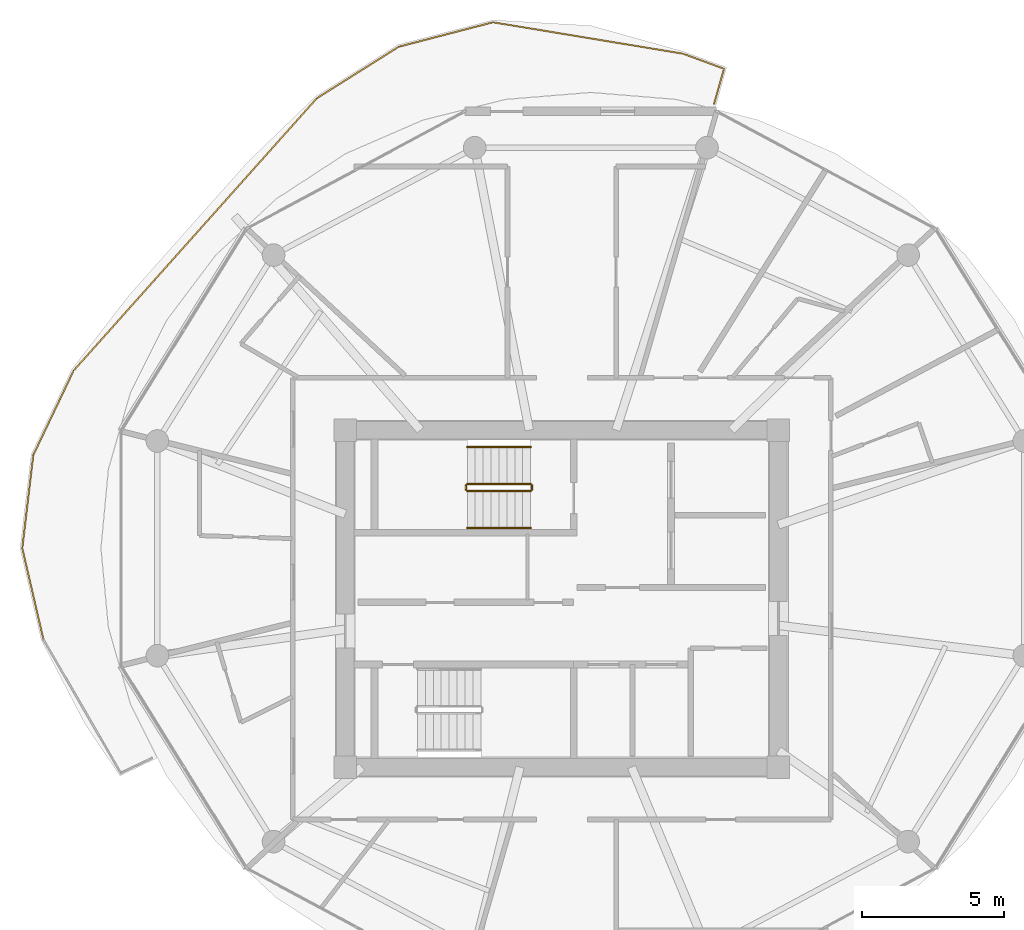
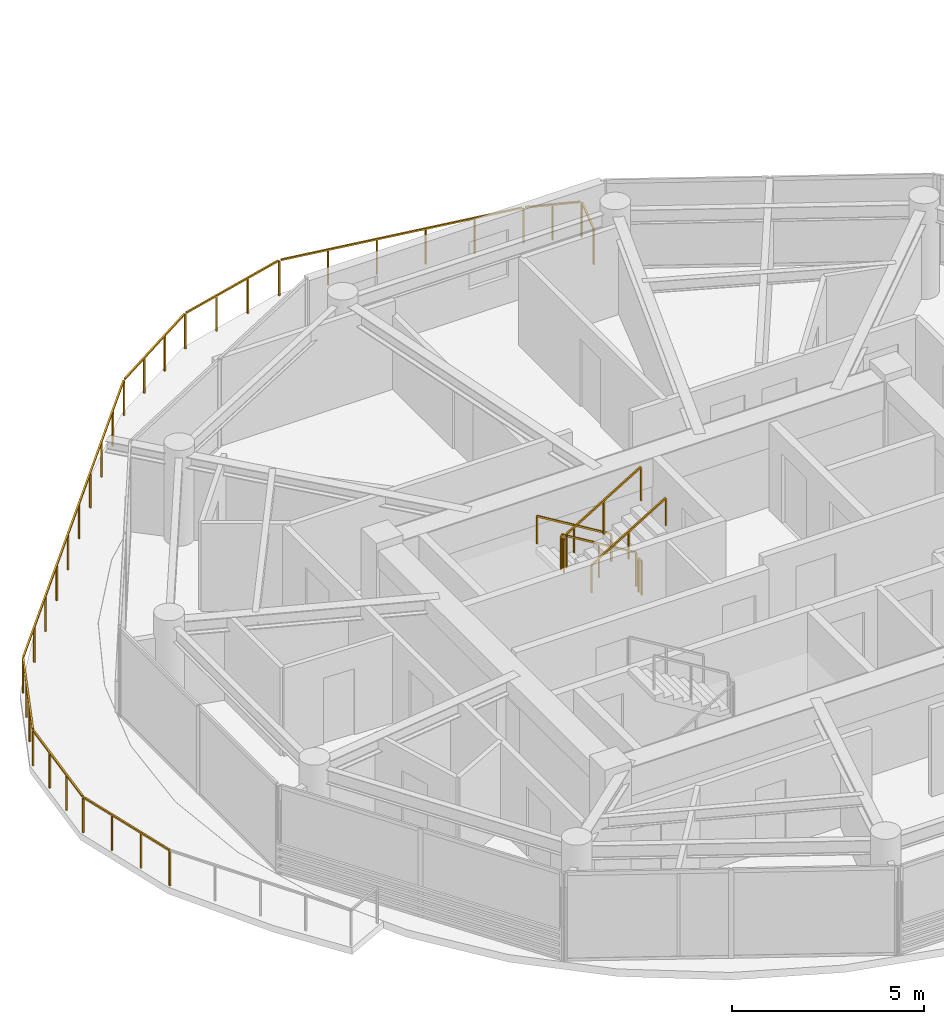
# One storey, part 22 of 24: 7 railings.
"""IFC4 building model written with IfcOpenShell, lengths in metres."""

from ifc_helpers import new_model, si_unit, direction, frame, origin, origin_2d, place, context, subcontext, project, spatial, rectangle, extrude, material, type_object, element, save


model = new_model("IFC4")

# Units and contexts
model_context = context("Model", 3, precision=1e-05, world=origin(), true_north=direction((0.0, 1.0)))
body_context = subcontext(model_context, "Body", "Model", "MODEL_VIEW")
ifc_project = project(units=[si_unit("LENGTHUNIT", "METRE"), si_unit("AREAUNIT", "SQUARE_METRE"), si_unit("VOLUMEUNIT", "CUBIC_METRE"), si_unit("PLANEANGLEUNIT", "RADIAN"), si_unit("MASSUNIT", "GRAM", prefix="KILO")], contexts=[model_context])

# Site, building, storey
site_placement = place(None, origin())
site = spatial("IfcSite", under=ifc_project, at=site_placement, CompositionType="ELEMENT")
building_placement = place(site_placement, origin())
building = spatial("IfcBuilding", under=site, at=building_placement, Name="Norrkilde Senior Care Towers", CompositionType="ELEMENT")
storey_placement = place(building_placement, frame((0.0, 0.0, 155.64990234375)))
storey = spatial("IfcBuildingStorey", under=building, at=storey_placement, Name="L48", CompositionType="ELEMENT", Elevation=155.64990234375)

# Railings
ifc_material_1 = material(Name="Anodised Aluminium", Category="aluminium")
railing_type_1 = type_object("IfcRailingType", Name="Balcony Swirl Ribbon Guardrail 1150", PredefinedType="GUARDRAIL", material=ifc_material_1)
railing_1_placement = place(storey_placement, frame((-46.3095703125, -1.442138671875, 0.0)))
element("IfcRailing", 1, at=railing_1_placement, inside=storey, type_object=railing_type_1, Name="L48 Perimeter Safety Guard 03", PredefinedType="GUARDRAIL", context=body_context, shape_type="SweptSolid", body=[
    extrude(rectangle(XDim=0.048095703125, YDim=0.048095703125, at=origin_2d()), frame((0.0, 0.0, 1.1259765625), z_axis=(-0.225668132909, 0.974204236179, 0.0), x_axis=(-0.974204236179, -0.225668132909, 0.0)), (0.0, 0.0, 1.0), 3.266357421875),
    extrude(rectangle(XDim=0.048095703125, YDim=0.048095703125, at=origin_2d()), frame((-0.741455078125, 3.262451171875, 1.1259765625), z_axis=(0.117222179521, 0.99310571473, 0.0), x_axis=(-0.99310571473, 0.117222179521, 0.0)), (0.0, 0.0, 1.0), 3.227783203125),
    extrude(rectangle(XDim=0.048095703125, YDim=0.048095703125, at=origin_2d()), frame((-0.3408203125, 6.54541015625, 1.1259765625), z_axis=(0.430700907626, 0.902494724733, 0.0), x_axis=(-0.902494724733, 0.430700907626, 0.0)), (0.0, 0.0, 1.0), 3.2275390625),
    extrude(rectangle(XDim=0.048095703125, YDim=0.048095703125, at=origin_2d()), frame((1.09423828125, 9.525634765625, 1.1259765625), z_axis=(0.665995069063, 0.745956143472, 0.0), x_axis=(-0.745956143472, 0.665995069063, 0.0)), (0.0, 0.0, 1.0), 12.80908203125),
    extrude(rectangle(XDim=0.048095703125, YDim=0.048095703125, at=origin_2d()), frame((9.686767578125, 19.1328125, 1.1259765625), z_axis=(0.846455566408, 0.532459363798, 0.0), x_axis=(-0.532459363798, 0.846455566408, 0.0)), (0.0, 0.0, 1.0), 3.340087890625),
    extrude(rectangle(XDim=0.048095703125, YDim=0.048095703125, at=origin_2d()), frame((12.588134765625, 20.943359375, 1.1259765625), z_axis=(0.967850501519, 0.251526155121, 0.0), x_axis=(-0.251526155121, 0.967850501519, 0.0)), (0.0, 0.0, 1.0), 3.358154296875),
    extrude(rectangle(XDim=0.048095703125, YDim=0.048095703125, at=origin_2d()), frame((15.918212890625, 21.791748046875, 1.1259765625), z_axis=(0.986609308281, -0.163101418795, 0.0), x_axis=(0.163101418795, 0.986609308281, 0.0)), (0.0, 0.0, 1.0), 6.722900390625),
    extrude(rectangle(XDim=0.048095703125, YDim=0.048095703125, at=origin_2d()), frame((22.6298828125, 20.67431640625, 1.1259765625), z_axis=(0.938256468841, -0.345940455392, 0.0), x_axis=(0.345940455392, 0.938256468841, 0.0)), (0.0, 0.0, 1.0), 1.458251953125),
    extrude(rectangle(XDim=0.048095703125, YDim=0.048095703125, at=origin_2d()), frame((24.025146484375, 20.116455078125, 1.1259765625), z_axis=(-0.271726995416, -0.962374376198, 0.0), x_axis=(0.962374376198, -0.271726995416, 0.0)), (0.0, 0.0, 1.0), 1.2412109375),
    extrude(rectangle(XDim=0.0419921875, YDim=0.0419921875, at=origin_2d()), origin(), (0.0, 0.0, 1.0), 1.099853515625),
    extrude(rectangle(XDim=0.0419921875, YDim=0.0419921875, at=origin_2d()), frame((-0.248779296875, 1.073974609375, 0.0)), (0.0, 0.0, 1.0), 1.099853515625),
    extrude(rectangle(XDim=0.0419921875, YDim=0.0419921875, at=origin_2d()), frame((-0.49755859375, 2.14794921875, 0.0)), (0.0, 0.0, 1.0), 1.099853515625),
    extrude(rectangle(XDim=0.0419921875, YDim=0.0419921875, at=origin_2d()), frame((-0.746337890625, 3.221923828125, 0.0)), (0.0, 0.0, 1.0), 1.099853515625),
    extrude(rectangle(XDim=0.0419921875, YDim=0.0419921875, at=origin_2d()), frame((-0.616943359375, 4.3173828125, 0.0)), (0.0, 0.0, 1.0), 1.099853515625),
    extrude(rectangle(XDim=0.0419921875, YDim=0.0419921875, at=origin_2d()), frame((-0.48779296875, 5.4130859375, 0.0)), (0.0, 0.0, 1.0), 1.099853515625),
    extrude(rectangle(XDim=0.0419921875, YDim=0.0419921875, at=origin_2d()), frame((-0.3583984375, 6.508544921875, 0.0)), (0.0, 0.0, 1.0), 1.099853515625),
    extrude(rectangle(XDim=0.0419921875, YDim=0.0419921875, at=origin_2d()), frame((0.11669921875, 7.504150390625, 0.0)), (0.0, 0.0, 1.0), 1.099853515625),
    extrude(rectangle(XDim=0.0419921875, YDim=0.0419921875, at=origin_2d()), frame((0.591796875, 8.49951171875, 0.0)), (0.0, 0.0, 1.0), 1.099853515625),
    extrude(rectangle(XDim=0.0419921875, YDim=0.0419921875, at=origin_2d()), frame((1.06689453125, 9.4951171875, 0.0)), (0.0, 0.0, 1.0), 1.099853515625),
    extrude(rectangle(XDim=0.0419921875, YDim=0.0419921875, at=origin_2d()), frame((2.020751953125, 10.5634765625, 0.0)), (0.0, 0.0, 1.0), 1.099853515625),
    extrude(rectangle(XDim=0.0419921875, YDim=0.0419921875, at=origin_2d()), frame((2.974609375, 11.632080078125, 0.0)), (0.0, 0.0, 1.0), 1.099853515625),
    extrude(rectangle(XDim=0.0419921875, YDim=0.0419921875, at=origin_2d()), frame((3.9287109375, 12.700439453125, 0.0)), (0.0, 0.0, 1.0), 1.099853515625),
    extrude(rectangle(XDim=0.0419921875, YDim=0.0419921875, at=origin_2d()), frame((4.882568359375, 13.768798828125, 0.0)), (0.0, 0.0, 1.0), 1.099853515625),
    extrude(rectangle(XDim=0.0419921875, YDim=0.0419921875, at=origin_2d()), frame((5.83642578125, 14.83740234375, 0.0)), (0.0, 0.0, 1.0), 1.099853515625),
    extrude(rectangle(XDim=0.0419921875, YDim=0.0419921875, at=origin_2d()), frame((6.790283203125, 15.90576171875, 0.0)), (0.0, 0.0, 1.0), 1.099853515625),
    extrude(rectangle(XDim=0.0419921875, YDim=0.0419921875, at=origin_2d()), frame((7.744384765625, 16.97412109375, 0.0)), (0.0, 0.0, 1.0), 1.099853515625),
    extrude(rectangle(XDim=0.0419921875, YDim=0.0419921875, at=origin_2d()), frame((8.6982421875, 18.042724609375, 0.0)), (0.0, 0.0, 1.0), 1.099853515625),
    extrude(rectangle(XDim=0.0419921875, YDim=0.0419921875, at=origin_2d()), frame((9.652099609375, 19.111083984375, 0.0)), (0.0, 0.0, 1.0), 1.099853515625),
    extrude(rectangle(XDim=0.0419921875, YDim=0.0419921875, at=origin_2d()), frame((10.61767578125, 19.718505859375, 0.0)), (0.0, 0.0, 1.0), 1.099853515625),
    extrude(rectangle(XDim=0.0419921875, YDim=0.0419921875, at=origin_2d()), frame((11.5830078125, 20.32568359375, 0.0)), (0.0, 0.0, 1.0), 1.099853515625),
    extrude(rectangle(XDim=0.0419921875, YDim=0.0419921875, at=origin_2d()), frame((12.548583984375, 20.93310546875, 0.0)), (0.0, 0.0, 1.0), 1.099853515625),
    extrude(rectangle(XDim=0.0419921875, YDim=0.0419921875, at=origin_2d()), frame((13.658447265625, 21.221435546875, 0.0)), (0.0, 0.0, 1.0), 1.099853515625),
    extrude(rectangle(XDim=0.0419921875, YDim=0.0419921875, at=origin_2d()), frame((14.76806640625, 21.510009765625, 0.0)), (0.0, 0.0, 1.0), 1.099853515625),
    extrude(rectangle(XDim=0.0419921875, YDim=0.0419921875, at=origin_2d()), frame((15.8779296875, 21.79833984375, 0.0)), (0.0, 0.0, 1.0), 1.099853515625),
    extrude(rectangle(XDim=0.0419921875, YDim=0.0419921875, at=origin_2d()), frame((17.220703125, 21.576416015625, 0.0)), (0.0, 0.0, 1.0), 1.099853515625),
    extrude(rectangle(XDim=0.0419921875, YDim=0.0419921875, at=origin_2d()), frame((18.5634765625, 21.3544921875, 0.0)), (0.0, 0.0, 1.0), 1.099853515625),
    extrude(rectangle(XDim=0.0419921875, YDim=0.0419921875, at=origin_2d()), frame((19.906005859375, 21.13232421875, 0.0)), (0.0, 0.0, 1.0), 1.099853515625),
    extrude(rectangle(XDim=0.0419921875, YDim=0.0419921875, at=origin_2d()), frame((21.248779296875, 20.910400390625, 0.0)), (0.0, 0.0, 1.0), 1.099853515625),
    extrude(rectangle(XDim=0.0419921875, YDim=0.0419921875, at=origin_2d()), frame((22.591552734375, 20.6884765625, 0.0)), (0.0, 0.0, 1.0), 1.099853515625),
    extrude(rectangle(XDim=0.0419921875, YDim=0.0419921875, at=origin_2d()), frame((23.31396484375, 20.422119140625, 0.0)), (0.0, 0.0, 1.0), 1.099853515625),
    extrude(rectangle(XDim=0.0419921875, YDim=0.0419921875, at=origin_2d()), frame((24.036376953125, 20.15576171875, 0.0)), (0.0, 0.0, 1.0), 1.099853515625),
    extrude(rectangle(XDim=0.0419921875, YDim=0.0419921875, at=origin_2d()), frame((23.68798828125, 18.921875, 0.0)), (0.0, 0.0, 1.0), 1.099853515625),
])
ifc_material_2 = material(Name="Stainless Steel", Category="steel")
railing_type_2 = type_object("IfcRailingType", Name="Stair and Terrace Guardrail 1100", PredefinedType="GUARDRAIL", material=ifc_material_2)
railing_2_placement = place(storey_placement, frame((-29.10009765625, 4.050048828125, 0.16943359375)))
element("IfcRailing", 2, at=railing_2_placement, inside=storey, type_object=railing_type_2, Name="L48 ST-W1 stair guard 1", PredefinedType="GUARDRAIL", context=body_context, shape_type="SweptSolid", body=[
    extrude(rectangle(XDim=0.048095703125, YDim=0.048095703125, at=origin_2d()), frame((0.0, 0.0, 1.076171875), z_axis=(-0.855512035549, 0.0, 0.517782924622), x_axis=(0.0, -1.0, 0.0)), (0.0, 0.0, 1.0), 2.618408203125),
    extrude(rectangle(XDim=0.0419921875, YDim=0.0419921875, at=origin_2d()), origin(), (0.0, 0.0, 1.0), 1.050048828125),
    extrude(rectangle(XDim=0.0419921875, YDim=0.0419921875, at=origin_2d()), frame((-1.1201171875, 0.0, 0.677734375)), (0.0, 0.0, 1.0), 1.050048828125),
    extrude(rectangle(XDim=0.0419921875, YDim=0.0419921875, at=origin_2d()), frame((-2.239990234375, 0.0, 1.355712890625)), (0.0, 0.0, 1.0), 1.050048828125),
])
railing_3_placement = place(storey_placement, frame((-31.389892578125, 4.0, 1.525146484375)))
element("IfcRailing", 3, at=railing_3_placement, inside=storey, type_object=railing_type_2, Name="L48 ST-W1 stair guard 2", PredefinedType="GUARDRAIL", context=body_context, shape_type="SweptSolid", body=[
    extrude(rectangle(XDim=0.048095703125, YDim=0.048095703125, at=origin_2d()), frame((0.0, 0.0, 1.076171875), z_axis=(0.0, -1.0, 0.0), x_axis=(1.0, 0.0, 0.0)), (0.0, 0.0, 1.0), 0.14990234375),
    extrude(rectangle(XDim=0.0419921875, YDim=0.0419921875, at=origin_2d()), origin(), (0.0, 0.0, 1.0), 1.050048828125),
    extrude(rectangle(XDim=0.0419921875, YDim=0.0419921875, at=origin_2d()), frame((0.0, -0.14990234375, 0.0)), (0.0, 0.0, 1.0), 1.050048828125),
])
railing_4_placement = place(storey_placement, frame((-31.340087890625, 3.800048828125, 1.694580078125)))
element("IfcRailing", 4, at=railing_4_placement, inside=storey, type_object=railing_type_2, Name="L48 ST-W1 stair guard 3", PredefinedType="GUARDRAIL", context=body_context, shape_type="SweptSolid", body=[
    extrude(rectangle(XDim=0.048095703125, YDim=0.048095703125, at=origin_2d()), frame((0.0, 0.0, 1.076171875), z_axis=(0.855553338991, 0.0, 0.51771467445), x_axis=(0.0, 1.0, 0.0)), (0.0, 0.0, 1.0), 2.6181640625),
    extrude(rectangle(XDim=0.0419921875, YDim=0.0419921875, at=origin_2d()), origin(), (0.0, 0.0, 1.0), 1.050048828125),
    extrude(rectangle(XDim=0.0419921875, YDim=0.0419921875, at=origin_2d()), frame((1.1201171875, 0.0, 0.677734375)), (0.0, 0.0, 1.0), 1.050048828125),
    extrude(rectangle(XDim=0.0419921875, YDim=0.0419921875, at=origin_2d()), frame((2.239990234375, 0.0, 1.35546875)), (0.0, 0.0, 1.0), 1.050048828125),
])
railing_5_placement = place(storey_placement, frame((-29.050048828125, 4.0, 0.0)))
element("IfcRailing", 5, at=railing_5_placement, inside=storey, type_object=railing_type_2, Name="L48 ST-W1 stair guard 4", PredefinedType="GUARDRAIL", context=body_context, shape_type="SweptSolid", body=[
    extrude(rectangle(XDim=0.048095703125, YDim=0.048095703125, at=origin_2d()), frame((0.0, 0.0, 1.076171875), z_axis=(0.0, -1.0, 0.0), x_axis=(1.0, 0.0, 0.0)), (0.0, 0.0, 1.0), 0.14990234375),
    extrude(rectangle(XDim=0.0419921875, YDim=0.0419921875, at=origin_2d()), origin(), (0.0, 0.0, 1.0), 1.050048828125),
    extrude(rectangle(XDim=0.0419921875, YDim=0.0419921875, at=origin_2d()), frame((0.0, -0.14990234375, 0.0)), (0.0, 0.0, 1.0), 1.050048828125),
])
ifc_material_3 = material(Name="Nordic Ash Timber", Category="wood")
railing_type_3 = type_object("IfcRailingType", Name="Wall and Stair Handrail 900", PredefinedType="HANDRAIL", material=ifc_material_3)
railing_6_placement = place(storey_placement, frame((-29.10009765625, 5.35009765625, 0.16943359375)))
element("IfcRailing", 6, at=railing_6_placement, inside=storey, type_object=railing_type_3, Name="L48 ST-W1 stair handrail 1", PredefinedType="HANDRAIL", context=body_context, shape_type="SweptSolid", body=[
    extrude(rectangle(XDim=0.048095703125, YDim=0.048095703125, at=origin_2d()), frame((0.0, 0.0, 0.8759765625), z_axis=(-0.855512035549, 0.0, 0.517782924622), x_axis=(0.0, -1.0, 0.0)), (0.0, 0.0, 1.0), 2.618408203125),
    extrude(rectangle(XDim=0.0419921875, YDim=0.0419921875, at=origin_2d()), origin(), (0.0, 0.0, 1.0), 0.849853515625),
    extrude(rectangle(XDim=0.0419921875, YDim=0.0419921875, at=origin_2d()), frame((-1.1201171875, 0.0, 0.677734375)), (0.0, 0.0, 1.0), 0.849853515625),
    extrude(rectangle(XDim=0.0419921875, YDim=0.0419921875, at=origin_2d()), frame((-2.239990234375, 0.0, 1.355712890625)), (0.0, 0.0, 1.0), 0.849853515625),
])
railing_7_placement = place(storey_placement, frame((-31.340087890625, 2.5, 1.694580078125)))
element("IfcRailing", 7, at=railing_7_placement, inside=storey, type_object=railing_type_3, Name="L48 ST-W1 stair handrail 2", PredefinedType="HANDRAIL", context=body_context, shape_type="SweptSolid", body=[
    extrude(rectangle(XDim=0.048095703125, YDim=0.048095703125, at=origin_2d()), frame((0.0, 0.0, 0.8759765625), z_axis=(0.855553338991, 0.0, 0.51771467445), x_axis=(0.0, 1.0, 0.0)), (0.0, 0.0, 1.0), 2.6181640625),
    extrude(rectangle(XDim=0.0419921875, YDim=0.0419921875, at=origin_2d()), origin(), (0.0, 0.0, 1.0), 0.849853515625),
    extrude(rectangle(XDim=0.0419921875, YDim=0.0419921875, at=origin_2d()), frame((1.1201171875, 0.0, 0.677734375)), (0.0, 0.0, 1.0), 0.849853515625),
    extrude(rectangle(XDim=0.0419921875, YDim=0.0419921875, at=origin_2d()), frame((2.239990234375, 0.0, 1.35546875)), (0.0, 0.0, 1.0), 0.849853515625),
])

save(model, "model.ifc")
